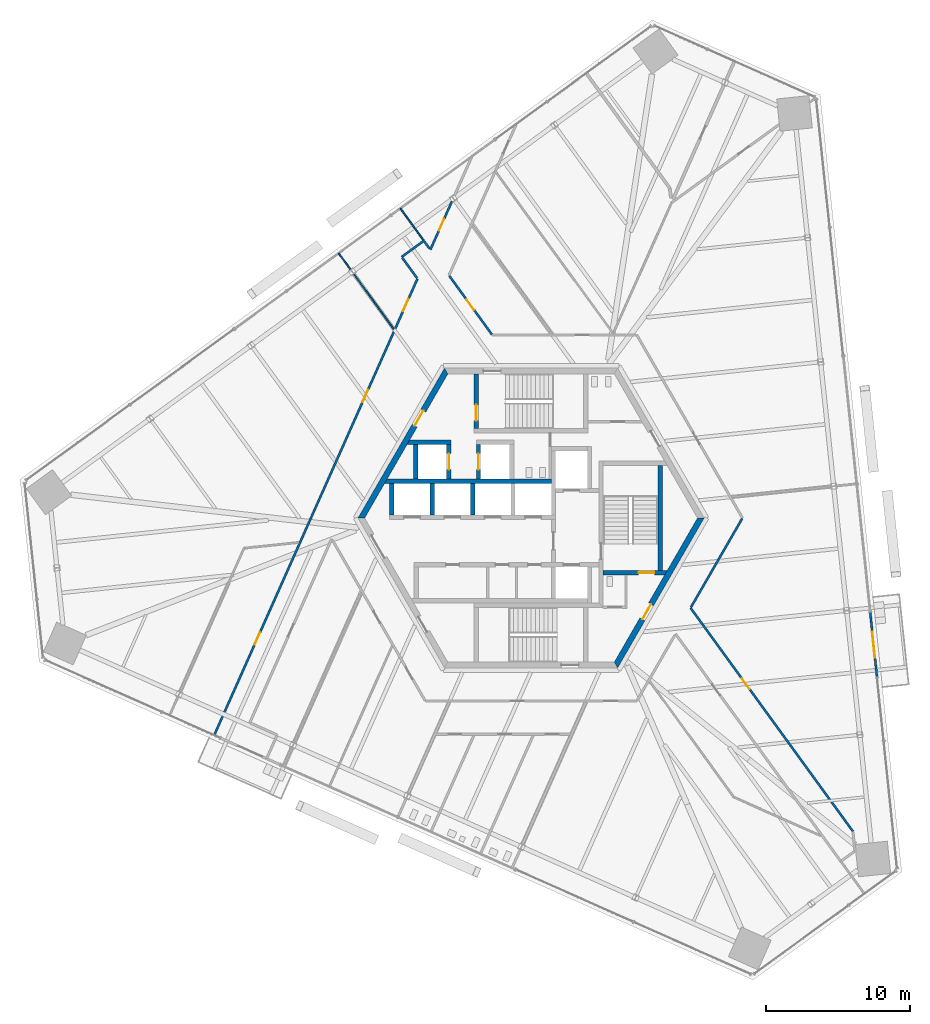
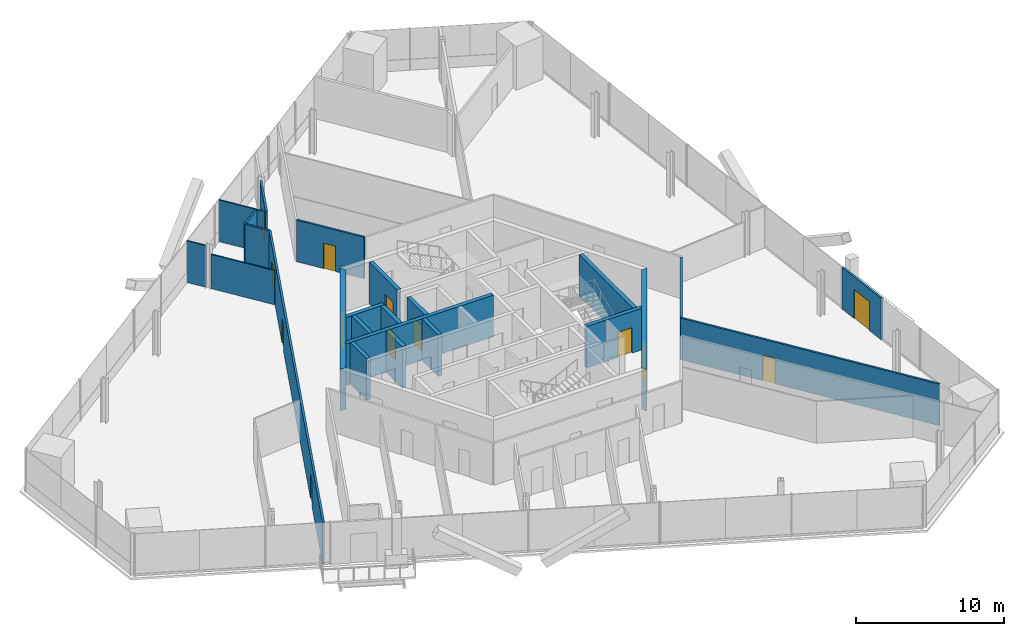
# One storey, part 13 of 19: 25 walls, 13 doors, 13 openings.
"""IFC4 building model written with IfcOpenShell, lengths in metres."""

from ifc_helpers import new_model, si_unit, direction, frame, frame_2d, origin, place, context, subcontext, project, spatial, polyline, rectangle, outline, extrude, source, transform, mapped, material, layer, layer_set, type_object, element, fill, save


model = new_model("IFC4")

# Units and contexts
model_context = context("Model", 3, precision=1e-05, world=origin(), true_north=direction((0.0, 1.0)))
body_context = subcontext(model_context, "Body", "Model", "MODEL_VIEW")
ifc_project = project(units=[si_unit("LENGTHUNIT", "METRE"), si_unit("AREAUNIT", "SQUARE_METRE"), si_unit("VOLUMEUNIT", "CUBIC_METRE"), si_unit("PLANEANGLEUNIT", "RADIAN"), si_unit("MASSUNIT", "GRAM", prefix="KILO")], contexts=[model_context])

# Site, building, storey
site_placement = place(None, origin())
site = spatial("IfcSite", under=ifc_project, at=site_placement, CompositionType="ELEMENT")
building_placement = place(site_placement, origin())
building = spatial("IfcBuilding", under=site, at=building_placement, Name="Triune Harvest Tower", CompositionType="ELEMENT")
storey_placement = place(building_placement, frame((0.0, 0.0, 76.5)))
storey = spatial("IfcBuildingStorey", under=building, at=storey_placement, Name="L18", CompositionType="ELEMENT", Elevation=76.5)

# Wall, opening, door
ifc_material_1 = material(Name="Concrete 70 MPa", Category="concrete")
ifc_layer_1 = layer(ifc_material_1, 0.39990234375)
ifc_layer_set_1 = layer_set([ifc_layer_1], Name="Concrete 70 MPa")
wall_type_1 = type_object("IfcWallType", Name="Core wall 400", PredefinedType="SHEAR", material=ifc_layer_set_1)
shared_shape_1 = source(origin(), body_context, "Body", "SweptSolid", [
    extrude(outline(polyline([(-0.115478515625, -0.199951171875), (11.884521484375, -0.199951171875), (11.653564453125, 0.199951171875), (0.115478515625, 0.199951171875), (-0.115478515625, -0.199951171875)])), origin(), (0.0, 0.0, 1.0), 3.43994140625),
])
wall_1_placement = place(storey_placement, frame((-5.884521484375, 10.1923828125, 0.0), z_axis=(0.0, 0.0, 1.0), x_axis=(-0.499996592174, -0.866027371285, 0.0)))
wall_1 = element("IfcWall", 1, at=wall_1_placement, inside=storey, type_object=wall_type_1, Name="Hexagon 2 wall", PredefinedType="SHEAR", context=body_context, shape_type="MappedRepresentation", body=[
    mapped(shared_shape_1, transform((0.0, 0.0, 0.0), scale=1.0)),
])
opening_1_placement = place(wall_1_placement, frame((3.1845703125, 0.0, 0.0)))
opening_1 = element("IfcOpeningElement", 2, at=opening_1_placement, cuts=wall_1, Name="Opening CD-SVP", PredefinedType="OPENING", context=body_context, shape_type="SweptSolid", body=[
    extrude(rectangle(XDim=1.199951171875, YDim=2.10009765625, at=frame_2d((0.60009765625, 1.050048828125))), frame((0.0, 0.2099609375, 0.0), z_axis=(0.0, -1.0, 0.0), x_axis=(1.0, 0.0, 0.0)), (0.0, 0.0, 1.0), 0.419921875),
])
ifc_material_2 = material(Name="Steel S235", Category="steel")
door_type_1 = type_object("IfcDoorType", Name="Service door 1200 FD120", OperationType="SINGLE_SWING_LEFT", PredefinedType="DOOR", material=ifc_material_2)
door_1_placement = place(opening_1_placement, frame((1.199951171875, 0.0, 0.0), z_axis=(0.0, 0.0, 1.0), x_axis=(-1.0, 0.0, 0.0)))
door_1 = element("IfcDoor", 3, at=door_1_placement, inside=storey, type_object=door_type_1, Name="Door CD-SVP", OperationType="SINGLE_SWING_RIGHT", OverallHeight=2.10009765625, OverallWidth=1.199951171875, PredefinedType="DOOR", context=body_context, shape_type="SweptSolid", body=[
    extrude(rectangle(XDim=1.199951171875, YDim=2.10009765625, at=frame_2d((0.60009765625, 1.050048828125))), frame((0.0, 0.02490234375, 0.0), z_axis=(0.0, -1.0, 0.0), x_axis=(1.0, 0.0, 0.0)), (0.0, 0.0, 1.0), 0.050048828125),
])
fill(opening_1, door_1)

wall_2_placement = place(storey_placement, frame((5.884521484375, -10.1923828125, 0.0), z_axis=(0.0, 0.0, 1.0), x_axis=(0.499996592174, 0.866027371285, 0.0)))
wall_2 = element("IfcWall", 4, at=wall_2_placement, inside=storey, type_object=wall_type_1, Name="Hexagon 5 wall", PredefinedType="SHEAR", context=body_context, shape_type="MappedRepresentation", body=[
    mapped(shared_shape_1, transform((0.0, 0.0, 0.0), scale=1.0)),
])
opening_2_placement = place(wall_2_placement, frame((3.66455078125, 0.0, 0.0)))
opening_2 = element("IfcOpeningElement", 5, at=opening_2_placement, cuts=wall_2, Name="Opening CD-DP", PredefinedType="OPENING", context=body_context, shape_type="SweptSolid", body=[
    extrude(rectangle(XDim=1.199951171875, YDim=2.10009765625, at=frame_2d((0.60009765625, 1.050048828125))), frame((0.0, 0.2099609375, 0.0), z_axis=(0.0, -1.0, 0.0), x_axis=(1.0, 0.0, 0.0)), (0.0, 0.0, 1.0), 0.419921875),
])
ifc_material_3 = material(Name="Steel S235", Category="steel")
door_type_2 = type_object("IfcDoorType", Name="Stair door 1200 FD120", OperationType="SINGLE_SWING_LEFT", PredefinedType="DOOR", material=ifc_material_3)
door_2_placement = place(opening_2_placement, frame((1.199951171875, 0.0, 0.0), z_axis=(0.0, 0.0, 1.0), x_axis=(-1.0, 0.0, 0.0)))
door_2 = element("IfcDoor", 6, at=door_2_placement, inside=storey, type_object=door_type_2, Name="Door CD-DP", OperationType="SINGLE_SWING_RIGHT", OverallHeight=2.10009765625, OverallWidth=1.199951171875, PredefinedType="DOOR", context=body_context, shape_type="SweptSolid", body=[
    extrude(rectangle(XDim=1.199951171875, YDim=2.10009765625, at=frame_2d((0.60009765625, 1.050048828125))), frame((0.0, 0.02490234375, 0.0), z_axis=(0.0, -1.0, 0.0), x_axis=(1.0, 0.0, 0.0)), (0.0, 0.0, 1.0), 0.050048828125),
])
fill(opening_2, door_2)

# Walls
ifc_material_4 = material(Name="Concrete 70 MPa", Category="concrete")
ifc_layer_2 = layer(ifc_material_4, 0.300048828125)
ifc_layer_set_2 = layer_set([ifc_layer_2], Name="Concrete 70 MPa")
wall_type_2 = type_object("IfcWallType", Name="Core wall 300", PredefinedType="SHEAR", material=ifc_layer_set_2)
shared_shape_2 = source(origin(), body_context, "Body", "SweptSolid", [
    extrude(outline(polyline([(11.199951171875, -0.14990234375), (-0.34912109375, -0.14990234375), (-0.17578125, 0.14990234375), (11.199951171875, 0.14990234375), (11.199951171875, -0.14990234375)])), origin(), (0.0, 0.0, 1.0), 3.43994140625),
])
wall_3_placement = place(storey_placement, frame((-9.800048828125, 2.56005859375, 0.0), z_axis=(0.0, 0.0, 1.0), x_axis=(1.0, 0.0, 0.0)))
element("IfcWall", 7, at=wall_3_placement, inside=storey, type_object=wall_type_2, Name="North back wall", PredefinedType="SHEAR", context=body_context, shape_type="MappedRepresentation", body=[
    mapped(shared_shape_2, transform((0.0, 0.0, 0.0), scale=1.0)),
])
shared_shape_3 = source(origin(), body_context, "Body", "SweptSolid", [
    extrude(rectangle(XDim=2.199951171875, YDim=0.300048828125, at=frame_2d((1.10009765625, 0.0))), origin(), (0.0, 0.0, 1.0), 3.43994140625),
])
for number, where, z_axis, x_axis, name in (
    (8, (-9.64990234375, 0.2099609375, 0.0), (0.0, 0.0, 1.0), (0.0, 1.0, 0.0), "North end west wall"),
    (9, (-6.85009765625, 0.2099609375, 0.0), (0.0, 0.0, 1.0), (0.0, 1.0, 0.0), "North cross 1 wall"),
    (10, (-4.050048828125, 0.2099609375, 0.0), (0.0, 0.0, 1.0), (0.0, 1.0, 0.0), "North cross 2 wall"),
):
    element("IfcWall", number, at=place(storey_placement, frame(where, z_axis=z_axis, x_axis=x_axis)), inside=storey, type_object=wall_type_2, Name=name, PredefinedType="SHEAR", context=body_context, shape_type="MappedRepresentation", body=[
        mapped(shared_shape_3, transform((0.0, 0.0, 0.0), scale=1.0)),
    ])

# Wall, opening, door
shared_shape_4 = source(origin(), body_context, "Body", "SweptSolid", [
    extrude(outline(polyline([(0.0, -0.14990234375), (0.0, 0.14990234375), (4.43310546875, 0.14990234375), (4.260009765625, -0.14990234375), (0.0, -0.14990234375)])), origin(), (0.0, 0.0, 1.0), 3.43994140625),
])
wall_4_placement = place(storey_placement, frame((5.0, -3.800048828125, 0.0), z_axis=(0.0, 0.0, 1.0), x_axis=(1.0, 0.0, 0.0)))
wall_4 = element("IfcWall", 11, at=wall_4_placement, inside=storey, type_object=wall_type_2, Name="Stair e south wall", PredefinedType="SHEAR", context=body_context, shape_type="MappedRepresentation", body=[
    mapped(shared_shape_4, transform((0.0, 0.0, 0.0), scale=1.0)),
])
opening_3_placement = place(wall_4_placement, frame((2.449951171875, 0.0, 0.0)))
opening_3 = element("IfcOpeningElement", 12, at=opening_3_placement, cuts=wall_4, Name="Opening CD-S3D", PredefinedType="OPENING", context=body_context, shape_type="SweptSolid", body=[
    extrude(rectangle(XDim=1.10009765625, YDim=2.10009765625, at=frame_2d((0.550048828125, 1.050048828125))), frame((0.0, 0.16015625, 0.0), z_axis=(0.0, -1.0, 0.0), x_axis=(1.0, 0.0, 0.0)), (0.0, 0.0, 1.0), 0.320068359375),
])
ifc_material_5 = material(Name="Steel S235", Category="steel")
door_type_3 = type_object("IfcDoorType", Name="Stair door 1100 FD120", OperationType="SINGLE_SWING_LEFT", PredefinedType="DOOR", material=ifc_material_5)
door_3_placement = place(opening_3_placement, frame((1.10009765625, 0.0, 0.0), z_axis=(0.0, 0.0, 1.0), x_axis=(-1.0, 0.0, 0.0)))
door_3 = element("IfcDoor", 13, at=door_3_placement, inside=storey, type_object=door_type_3, Name="Door CD-S3D", OperationType="SINGLE_SWING_RIGHT", OverallHeight=2.10009765625, OverallWidth=1.10009765625, PredefinedType="DOOR", context=body_context, shape_type="SweptSolid", body=[
    extrude(rectangle(XDim=1.10009765625, YDim=2.10009765625, at=frame_2d((0.550048828125, 1.050048828125))), frame((0.0, 0.02490234375, 0.0), z_axis=(0.0, -1.0, 0.0), x_axis=(1.0, 0.0, 0.0)), (0.0, 0.0, 1.0), 0.050048828125),
])
fill(opening_3, door_3)

# Wall
shared_shape_5 = source(origin(), body_context, "Body", "SweptSolid", [
    extrude(rectangle(XDim=7.2998046875, YDim=0.300048828125, at=frame_2d((3.64990234375, 0.0))), origin(), (0.0, 0.0, 1.0), 3.43994140625),
])
wall_5_placement = place(storey_placement, frame((8.949951171875, -3.64990234375, 0.0), z_axis=(0.0, 0.0, 1.0), x_axis=(0.0, 1.0, 0.0)))
element("IfcWall", 14, at=wall_5_placement, inside=storey, type_object=wall_type_2, Name="Stair e east wall", PredefinedType="SHEAR", context=body_context, shape_type="MappedRepresentation", body=[
    mapped(shared_shape_5, transform((0.0, 0.0, 0.0), scale=1.0)),
])

# Wall, opening, door
shared_shape_6 = source(origin(), body_context, "Body", "SweptSolid", [
    extrude(outline(polyline([(0.0, -0.14990234375), (0.0, 0.14990234375), (3.80419921875, 0.14990234375), (3.80419921875, -0.14990234375), (0.0, -0.14990234375)])), origin(), (0.0, 0.0, 1.0), 3.43994140625),
])
wall_6_placement = place(storey_placement, frame((-3.800048828125, 6.18994140625, 0.0), z_axis=(0.0, 0.0, 1.0), x_axis=(0.0, 1.0, 0.0)))
wall_6 = element("IfcWall", 15, at=wall_6_placement, inside=storey, type_object=wall_type_2, Name="Stair n west wall", PredefinedType="SHEAR", context=body_context, shape_type="MappedRepresentation", body=[
    mapped(shared_shape_6, transform((0.0, 0.0, 0.0), scale=1.0)),
])
opening_4_placement = place(wall_6_placement, frame((0.56005859375, 0.0, 0.0)))
opening_4 = element("IfcOpeningElement", 16, at=opening_4_placement, cuts=wall_6, Name="Opening CD-S1L", PredefinedType="OPENING", context=body_context, shape_type="SweptSolid", body=[
    extrude(rectangle(XDim=1.10009765625, YDim=2.10009765625, at=frame_2d((0.550048828125, 1.050048828125))), frame((0.0, 0.16015625, 0.0), z_axis=(0.0, -1.0, 0.0), x_axis=(1.0, 0.0, 0.0)), (0.0, 0.0, 1.0), 0.320068359375),
])
door_4_placement = place(opening_4_placement, frame((1.10009765625, 0.0, 0.0), z_axis=(0.0, 0.0, 1.0), x_axis=(-1.0, 0.0, 0.0)))
door_4 = element("IfcDoor", 17, at=door_4_placement, inside=storey, type_object=door_type_3, Name="Door CD-S1L", OperationType="SINGLE_SWING_RIGHT", OverallHeight=2.10009765625, OverallWidth=1.10009765625, PredefinedType="DOOR", context=body_context, shape_type="SweptSolid", body=[
    extrude(rectangle(XDim=1.10009765625, YDim=2.10009765625, at=frame_2d((0.550048828125, 1.050048828125))), frame((0.0, 0.02490234375, 0.0), z_axis=(0.0, -1.0, 0.0), x_axis=(1.0, 0.0, 0.0)), (0.0, 0.0, 1.0), 0.050048828125),
])
fill(opening_4, door_4)

# Walls
shared_shape_7 = source(origin(), body_context, "Body", "SweptSolid", [
    extrude(outline(polyline([(2.60009765625, -0.14990234375), (-0.440185546875, -0.14990234375), (-0.26708984375, 0.14990234375), (2.60009765625, 0.14990234375), (2.60009765625, -0.14990234375)])), origin(), (0.0, 0.0, 1.0), 3.43994140625),
])
wall_7_placement = place(storey_placement, frame((-8.14990234375, 5.260009765625, 0.0), z_axis=(0.0, 0.0, 1.0), x_axis=(1.0, 0.0, 0.0)))
element("IfcWall", 18, at=wall_7_placement, inside=storey, type_object=wall_type_2, Name="Sv1 north wall", PredefinedType="SHEAR", context=body_context, shape_type="MappedRepresentation", body=[
    mapped(shared_shape_7, transform((0.0, 0.0, 0.0), scale=1.0)),
])
shared_shape_8 = source(origin(), body_context, "Body", "SweptSolid", [
    extrude(rectangle(XDim=2.400146484375, YDim=0.300048828125, at=frame_2d((1.2001953125, 0.0))), origin(), (0.0, 0.0, 1.0), 3.43994140625),
])
wall_8_placement = place(storey_placement, frame((-8.0, 2.7099609375, 0.0), z_axis=(0.0, 0.0, 1.0), x_axis=(0.0, 1.0, 0.0)))
element("IfcWall", 19, at=wall_8_placement, inside=storey, type_object=wall_type_2, Name="Sv1 west wall", PredefinedType="SHEAR", context=body_context, shape_type="MappedRepresentation", body=[
    mapped(shared_shape_8, transform((0.0, 0.0, 0.0), scale=1.0)),
])

# Wall, opening, door
wall_9_placement = place(storey_placement, frame((-5.699951171875, 2.7099609375, 0.0), z_axis=(0.0, 0.0, 1.0), x_axis=(0.0, 1.0, 0.0)))
wall_9 = element("IfcWall", 20, at=wall_9_placement, inside=storey, type_object=wall_type_2, Name="Sv1 east wall", PredefinedType="SHEAR", context=body_context, shape_type="MappedRepresentation", body=[
    mapped(shared_shape_8, transform((0.0, 0.0, 0.0), scale=1.0)),
])
opening_5_placement = place(wall_9_placement, frame((0.64990234375, 0.0, 0.0)))
opening_5 = element("IfcOpeningElement", 21, at=opening_5_placement, cuts=wall_9, Name="Opening LD-SV1-18", PredefinedType="OPENING", context=body_context, shape_type="SweptSolid", body=[
    extrude(rectangle(XDim=1.10009765625, YDim=2.10009765625, at=frame_2d((0.550048828125, 1.050048828125))), frame((0.0, 0.16015625, 0.0), z_axis=(0.0, -1.0, 0.0), x_axis=(1.0, 0.0, 0.0)), (0.0, 0.0, 1.0), 0.320068359375),
])
ifc_material_6 = material(Name="Stainless steel AISI 304", Category="steel")
door_type_4 = type_object("IfcDoorType", Name="Landing door 1100 x 2100", OperationType="DOUBLE_DOOR_SLIDING", PredefinedType="DOOR", material=ifc_material_6)
door_5_placement = place(opening_5_placement, origin())
door_5 = element("IfcDoor", 22, at=door_5_placement, inside=storey, type_object=door_type_4, Name="Door LD-SV1-18", OperationType="DOUBLE_DOOR_SLIDING", OverallHeight=2.10009765625, OverallWidth=1.10009765625, PredefinedType="DOOR", context=body_context, shape_type="SweptSolid", body=[
    extrude(rectangle(XDim=1.10009765625, YDim=2.10009765625, at=frame_2d((0.550048828125, 1.050048828125))), frame((0.0, 0.02490234375, 0.0), z_axis=(0.0, -1.0, 0.0), x_axis=(1.0, 0.0, 0.0)), (0.0, 0.0, 1.0), 0.050048828125),
])
fill(opening_5, door_5)

wall_10_placement = place(storey_placement, frame((-3.64990234375, 2.7099609375, 0.0), z_axis=(0.0, 0.0, 1.0), x_axis=(0.0, 1.0, 0.0)))
wall_10 = element("IfcWall", 23, at=wall_10_placement, inside=storey, type_object=wall_type_2, Name="Sv2 west wall", PredefinedType="SHEAR", context=body_context, shape_type="MappedRepresentation", body=[
    mapped(shared_shape_8, transform((0.0, 0.0, 0.0), scale=1.0)),
])
opening_6_placement = place(wall_10_placement, frame((0.64990234375, 0.0, 0.0)))
opening_6 = element("IfcOpeningElement", 24, at=opening_6_placement, cuts=wall_10, Name="Opening LD-SV2-18", PredefinedType="OPENING", context=body_context, shape_type="SweptSolid", body=[
    extrude(rectangle(XDim=1.10009765625, YDim=2.10009765625, at=frame_2d((0.550048828125, 1.050048828125))), frame((0.0, 0.16015625, 0.0), z_axis=(0.0, -1.0, 0.0), x_axis=(1.0, 0.0, 0.0)), (0.0, 0.0, 1.0), 0.320068359375),
])
door_6_placement = place(opening_6_placement, origin())
door_6 = element("IfcDoor", 25, at=door_6_placement, inside=storey, type_object=door_type_4, Name="Door LD-SV2-18", OperationType="DOUBLE_DOOR_SLIDING", OverallHeight=2.10009765625, OverallWidth=1.10009765625, PredefinedType="DOOR", context=body_context, shape_type="SweptSolid", body=[
    extrude(rectangle(XDim=1.10009765625, YDim=2.10009765625, at=frame_2d((0.550048828125, 1.050048828125))), frame((0.0, 0.02490234375, 0.0), z_axis=(0.0, -1.0, 0.0), x_axis=(1.0, 0.0, 0.0)), (0.0, 0.0, 1.0), 0.050048828125),
])
fill(opening_6, door_6)

ifc_material_7 = material(Name="Aluminium bronze anodised", Category="aluminium")
ifc_layer_3 = layer(ifc_material_7, 0.14990234375)
ifc_layer_set_3 = layer_set([ifc_layer_3], Name="Aluminium bronze anodised")
wall_type_3 = type_object("IfcWallType", Name="WW-2 balcony window wall", PredefinedType="ELEMENTEDWALL", material=ifc_layer_set_3)
shared_shape_9 = source(origin(), body_context, "Body", "SweptSolid", [
    extrude(rectangle(XDim=4.485595703125, YDim=0.14990234375, at=frame_2d((2.24267578125, 0.0))), origin(), (0.0, 0.0, 1.0), 3.43994140625),
])
wall_11_placement = place(storey_placement, frame((23.51123046875, -6.549560546875, 0.0), z_axis=(0.0, 0.0, 1.0), x_axis=(0.104503452586, -0.994524523779, 0.0)))
wall_11 = element("IfcWall", 26, at=wall_11_placement, inside=storey, type_object=wall_type_3, Name="WW-2 B2-F1 L18.4", PredefinedType="ELEMENTEDWALL", context=body_context, shape_type="MappedRepresentation", body=[
    mapped(shared_shape_9, transform((0.0, 0.0, 0.0), scale=1.0)),
])
opening_7_placement = place(wall_11_placement, frame((1.3427734375, 0.0, 0.0)))
opening_7 = element("IfcOpeningElement", 27, at=opening_7_placement, cuts=wall_11, Name="Opening L18-E01", PredefinedType="OPENING", context=body_context, shape_type="SweptSolid", body=[
    extrude(rectangle(XDim=1.800048828125, YDim=2.39990234375, at=frame_2d((0.89990234375, 1.199951171875))), frame((0.0, 0.0849609375, 0.0), z_axis=(0.0, -1.0, 0.0), x_axis=(1.0, 0.0, 0.0)), (0.0, 0.0, 1.0), 0.169921875),
])
ifc_material_8 = material(Name="Glass", Category="glass")
door_type_5 = type_object("IfcDoorType", Name="DB-1 balcony door 1800 x 2400", OperationType="DOUBLE_DOOR_SINGLE_SWING", PredefinedType="DOOR", material=ifc_material_8)
door_7_placement = place(opening_7_placement, origin())
door_7 = element("IfcDoor", 28, at=door_7_placement, inside=storey, type_object=door_type_5, Name="Door L18-E01", OperationType="DOUBLE_DOOR_SINGLE_SWING", OverallHeight=2.39990234375, OverallWidth=1.800048828125, PredefinedType="DOOR", context=body_context, shape_type="SweptSolid", body=[
    extrude(rectangle(XDim=1.800048828125, YDim=2.39990234375, at=frame_2d((0.89990234375, 1.199951171875))), frame((0.0, 0.02490234375, 0.0), z_axis=(0.0, -1.0, 0.0), x_axis=(1.0, 0.0, 0.0)), (0.0, 0.0, 1.0), 0.050048828125),
])
fill(opening_7, door_7)

# Walls
ifc_material_9 = material(Name="Gypsum board on steel studs", Category="steel")
ifc_layer_4 = layer(ifc_material_9, 0.10009765625)
ifc_layer_set_4 = layer_set([ifc_layer_4], Name="Gypsum board on steel studs")
wall_type_4 = type_object("IfcWallType", Name="Partition 100 mm", PredefinedType="PARTITIONING", material=ifc_layer_set_4)
shared_shape_10 = source(origin(), body_context, "Body", "SweptSolid", [
    extrude(rectangle(XDim=1.41796875, YDim=0.10009765625, at=frame_2d((0.708984375, 0.0))), origin(), (0.0, 0.0, 1.0), 3.43994140625),
])
wall_12_placement = place(storey_placement, frame((-13.34130859375, 18.36279296875, 0.0), z_axis=(0.0, 0.0, 1.0), x_axis=(0.587782622309, -0.809018905164, 0.0)))
element("IfcWall", 29, at=wall_12_placement, inside=storey, type_object=wall_type_4, Name="Partition L18 005", PredefinedType="PARTITIONING", context=body_context, shape_type="MappedRepresentation", body=[
    mapped(shared_shape_10, transform((0.0, 0.0, 0.0), scale=1.0)),
])
ifc_material_10 = material(Name="Gypsum board on steel studs", Category="steel")
ifc_layer_5 = layer(ifc_material_10, 0.14990234375)
ifc_layer_set_5 = layer_set([ifc_layer_5], Name="Gypsum board on steel studs")
wall_type_5 = type_object("IfcWallType", Name="Fire Partition 150 mm", PredefinedType="PARTITIONING", material=ifc_layer_set_5)
shared_shape_11 = source(origin(), body_context, "Body", "SweptSolid", [
    extrude(rectangle(XDim=1.755126953125, YDim=0.14990234375, at=frame_2d((0.87744140625, 0.0))), origin(), (0.0, 0.0, 1.0), 3.43994140625),
])
wall_13_placement = place(storey_placement, frame((-8.936279296875, 18.052734375, 0.0), z_axis=(0.0, 0.0, 1.0), x_axis=(0.587733231641, -0.809054787035, 0.0)))
element("IfcWall", 30, at=wall_13_placement, inside=storey, type_object=wall_type_5, Name="Partition L18 008", PredefinedType="PARTITIONING", context=body_context, shape_type="MappedRepresentation", body=[
    mapped(shared_shape_11, transform((0.0, 0.0, 0.0), scale=1.0)),
])
shared_shape_12 = source(origin(), body_context, "Body", "SweptSolid", [
    extrude(rectangle(XDim=2.7802734375, YDim=0.10009765625, at=frame_2d((1.39013671875, 0.0))), origin(), (0.0, 0.0, 1.0), 3.43994140625),
])
wall_14_placement = place(storey_placement, frame((-9.06884765625, 21.467041015625, 0.0), z_axis=(0.0, 0.0, 1.0), x_axis=(0.587806154415, -0.809001807682, 0.0)))
element("IfcWall", 31, at=wall_14_placement, inside=storey, type_object=wall_type_4, Name="Partition L18 011", PredefinedType="PARTITIONING", context=body_context, shape_type="MappedRepresentation", body=[
    mapped(shared_shape_12, transform((0.0, 0.0, 0.0), scale=1.0)),
])
shared_shape_13 = source(origin(), body_context, "Body", "SweptSolid", [
    extrude(rectangle(XDim=0.608154296875, YDim=0.14990234375, at=frame_2d((0.30419921875, 0.0))), origin(), (0.0, 0.0, 1.0), 3.43994140625),
])
wall_15_placement = place(storey_placement, frame((-7.4052734375, 19.17724609375, 0.0), z_axis=(0.0, 0.0, 1.0), x_axis=(0.587789668622, -0.809013785705, 0.0)))
element("IfcWall", 32, at=wall_15_placement, inside=storey, type_object=wall_type_5, Name="Partition L18 012", PredefinedType="PARTITIONING", context=body_context, shape_type="MappedRepresentation", body=[
    mapped(shared_shape_13, transform((0.0, 0.0, 0.0), scale=1.0)),
])

# Wall, opening, door
shared_shape_14 = source(origin(), body_context, "Body", "SweptSolid", [
    extrude(rectangle(XDim=5.013671875, YDim=0.14990234375, at=frame_2d((2.5068359375, 0.0))), origin(), (0.0, 0.0, 1.0), 3.43994140625),
])
wall_16_placement = place(storey_placement, frame((-5.664306640625, 16.781005859375, 0.0), z_axis=(0.0, 0.0, 1.0), x_axis=(0.587792341651, -0.809011843607, 0.0)))
wall_16 = element("IfcWall", 33, at=wall_16_placement, inside=storey, type_object=wall_type_5, Name="Partition L18 013", PredefinedType="PARTITIONING", context=body_context, shape_type="MappedRepresentation", body=[
    mapped(shared_shape_14, transform((0.0, 0.0, 0.0), scale=1.0)),
])
opening_8_placement = place(wall_16_placement, frame((2.00390625, 0.0, 0.0)))
opening_8 = element("IfcOpeningElement", 34, at=opening_8_placement, cuts=wall_16, Name="Opening L18-010", PredefinedType="OPENING", context=body_context, shape_type="SweptSolid", body=[
    extrude(rectangle(XDim=0.89990234375, YDim=2.10009765625, at=frame_2d((0.449951171875, 1.050048828125))), frame((0.0, 0.0849609375, 0.0), z_axis=(0.0, -1.0, 0.0), x_axis=(1.0, 0.0, 0.0)), (0.0, 0.0, 1.0), 0.169921875),
])
ifc_material_11 = material(Name="Timber and steel door set", Category="steel")
door_type_6 = type_object("IfcDoorType", Name="Single leaf door FD30 left hand 900 x 2100", OperationType="SINGLE_SWING_LEFT", PredefinedType="DOOR", material=ifc_material_11)
door_8_placement = place(opening_8_placement, origin())
door_8 = element("IfcDoor", 35, at=door_8_placement, inside=storey, type_object=door_type_6, Name="Door L18-010 Office 18.10", OperationType="SINGLE_SWING_LEFT", OverallHeight=2.10009765625, OverallWidth=0.89990234375, PredefinedType="DOOR", context=body_context, shape_type="SweptSolid", body=[
    extrude(rectangle(XDim=0.89990234375, YDim=2.10009765625, at=frame_2d((0.449951171875, 1.050048828125))), frame((0.0, 0.02490234375, 0.0), z_axis=(0.0, -1.0, 0.0), x_axis=(1.0, 0.0, 0.0)), (0.0, 0.0, 1.0), 0.050048828125),
])
fill(opening_8, door_8)

shared_shape_15 = source(origin(), body_context, "Body", "SweptSolid", [
    extrude(rectangle(XDim=19.145751953125, YDim=0.14990234375, at=frame_2d((9.57275390625, 0.0))), origin(), (0.0, 0.0, 1.0), 3.43994140625),
])
wall_17_placement = place(storey_placement, frame((11.056884765625, -6.2333984375, 0.0), z_axis=(0.0, 0.0, 1.0), x_axis=(0.587787220736, -0.809015564213, 0.0)))
wall_17 = element("IfcWall", 36, at=wall_17_placement, inside=storey, type_object=wall_type_5, Name="Partition L18 014", PredefinedType="PARTITIONING", context=body_context, shape_type="MappedRepresentation", body=[
    mapped(shared_shape_15, transform((0.0, 0.0, 0.0), scale=1.0)),
])
opening_9_placement = place(wall_17_placement, frame((6.0615234375, 0.0, 0.0)))
opening_9 = element("IfcOpeningElement", 37, at=opening_9_placement, cuts=wall_17, Name="Opening L18-002", PredefinedType="OPENING", context=body_context, shape_type="SweptSolid", body=[
    extrude(rectangle(XDim=0.89990234375, YDim=2.10009765625, at=frame_2d((0.449951171875, 1.050048828125))), frame((0.0, 0.0849609375, 0.0), z_axis=(0.0, -1.0, 0.0), x_axis=(1.0, 0.0, 0.0)), (0.0, 0.0, 1.0), 0.169921875),
])
door_9_placement = place(opening_9_placement, origin())
door_9 = element("IfcDoor", 38, at=door_9_placement, inside=storey, type_object=door_type_6, Name="Door L18-002 Open Office 18.02", OperationType="SINGLE_SWING_LEFT", OverallHeight=2.10009765625, OverallWidth=0.89990234375, PredefinedType="DOOR", context=body_context, shape_type="SweptSolid", body=[
    extrude(rectangle(XDim=0.89990234375, YDim=2.10009765625, at=frame_2d((0.449951171875, 1.050048828125))), frame((0.0, 0.02490234375, 0.0), z_axis=(0.0, -1.0, 0.0), x_axis=(1.0, 0.0, 0.0)), (0.0, 0.0, 1.0), 0.050048828125),
])
fill(opening_9, door_9)

# Walls
shared_shape_16 = source(origin(), body_context, "Body", "SweptSolid", [
    extrude(rectangle(XDim=1.869873046875, YDim=0.14990234375, at=frame_2d((0.93505859375, 0.0))), origin(), (0.0, 0.0, 1.0), 3.43994140625),
])
wall_18_placement = place(storey_placement, frame((-8.9716796875, 18.10107421875, 0.0), z_axis=(0.0, 0.0, 1.0), x_axis=(0.808995728754, 0.587814520796, 0.0)))
element("IfcWall", 39, at=wall_18_placement, inside=storey, type_object=wall_type_5, Name="Partition L18 029", PredefinedType="PARTITIONING", context=body_context, shape_type="MappedRepresentation", body=[
    mapped(shared_shape_16, transform((0.0, 0.0, 0.0), scale=1.0)),
])
shared_shape_17 = source(origin(), body_context, "Body", "SweptSolid", [
    extrude(rectangle(XDim=7.097900390625, YDim=0.14990234375, at=frame_2d((3.548828125, 0.0))), origin(), (0.0, 0.0, 1.0), 3.43994140625),
])
wall_19_placement = place(storey_placement, frame((11.081787109375, -6.190185546875, 0.0), z_axis=(0.0, 0.0, 1.0), x_axis=(0.500012251463, 0.866018330284, 0.0)))
element("IfcWall", 40, at=wall_19_placement, inside=storey, type_object=wall_type_5, Name="Partition L18 031", PredefinedType="PARTITIONING", context=body_context, shape_type="MappedRepresentation", body=[
    mapped(shared_shape_17, transform((0.0, 0.0, 0.0), scale=1.0)),
])

# Wall, openings, doors
shared_shape_18 = source(origin(), body_context, "Body", "SweptSolid", [
    extrude(rectangle(XDim=34.652099609375, YDim=0.14990234375, at=frame_2d((17.326171875, 0.0))), origin(), (0.0, 0.0, 1.0), 3.43994140625),
])
wall_20_placement = place(storey_placement, frame((-21.969970703125, -15.064208984375, 0.0), z_axis=(0.0, 0.0, 1.0), x_axis=(0.406741745342, 0.91354318595, 0.0)))
wall_20 = element("IfcWall", 41, at=wall_20_placement, inside=storey, type_object=wall_type_5, Name="Partition L18 047", PredefinedType="PARTITIONING", context=body_context, shape_type="MappedRepresentation", body=[
    mapped(shared_shape_18, transform((0.0, 0.0, 0.0), scale=1.0)),
])
opening_10_placement = place(wall_20_placement, frame((32.2021484375, 0.0, 0.0)))
opening_10 = element("IfcOpeningElement", 42, at=opening_10_placement, cuts=wall_20, Name="Opening L18-008", PredefinedType="OPENING", context=body_context, shape_type="SweptSolid", body=[
    extrude(rectangle(XDim=0.89990234375, YDim=2.10009765625, at=frame_2d((0.449951171875, 1.050048828125))), frame((0.0, 0.0849609375, 0.0), z_axis=(0.0, -1.0, 0.0), x_axis=(1.0, 0.0, 0.0)), (0.0, 0.0, 1.0), 0.169921875),
])
opening_11_placement = place(wall_20_placement, frame((25.298095703125, 0.0, 0.0)))
opening_11 = element("IfcOpeningElement", 43, at=opening_11_placement, cuts=wall_20, Name="Opening L18-011", PredefinedType="OPENING", context=body_context, shape_type="SweptSolid", body=[
    extrude(rectangle(XDim=0.89990234375, YDim=2.10009765625, at=frame_2d((0.449951171875, 1.050048828125))), frame((0.0, 0.0849609375, 0.0), z_axis=(0.0, -1.0, 0.0), x_axis=(1.0, 0.0, 0.0)), (0.0, 0.0, 1.0), 0.169921875),
])
opening_12_placement = place(wall_20_placement, frame((6.897705078125, 0.0, 0.0)))
opening_12 = element("IfcOpeningElement", 44, at=opening_12_placement, cuts=wall_20, Name="Opening L18-012", PredefinedType="OPENING", context=body_context, shape_type="SweptSolid", body=[
    extrude(rectangle(XDim=0.89990234375, YDim=2.10009765625, at=frame_2d((0.449951171875, 1.050048828125))), frame((0.0, 0.0849609375, 0.0), z_axis=(0.0, -1.0, 0.0), x_axis=(1.0, 0.0, 0.0)), (0.0, 0.0, 1.0), 0.169921875),
])
door_10_placement = place(opening_12_placement, origin())
door_10 = element("IfcDoor", 45, at=door_10_placement, inside=storey, type_object=door_type_6, Name="Door L18-012 Office 18.12", OperationType="SINGLE_SWING_LEFT", OverallHeight=2.10009765625, OverallWidth=0.89990234375, PredefinedType="DOOR", context=body_context, shape_type="SweptSolid", body=[
    extrude(rectangle(XDim=0.89990234375, YDim=2.10009765625, at=frame_2d((0.449951171875, 1.050048828125))), frame((0.0, 0.02490234375, 0.0), z_axis=(0.0, -1.0, 0.0), x_axis=(1.0, 0.0, 0.0)), (0.0, 0.0, 1.0), 0.050048828125),
])
fill(opening_12, door_10)
ifc_material_12 = material(Name="Timber and steel door set", Category="steel")
door_type_7 = type_object("IfcDoorType", Name="Single leaf door FD30 right hand 900 x 2100", OperationType="SINGLE_SWING_RIGHT", PredefinedType="DOOR", material=ifc_material_12)
door_11_placement = place(opening_10_placement, origin())
door_11 = element("IfcDoor", 46, at=door_11_placement, inside=storey, type_object=door_type_7, Name="Door L18-008 Meeting Room 18.08", OperationType="SINGLE_SWING_RIGHT", OverallHeight=2.10009765625, OverallWidth=0.89990234375, PredefinedType="DOOR", context=body_context, shape_type="SweptSolid", body=[
    extrude(rectangle(XDim=0.89990234375, YDim=2.10009765625, at=frame_2d((0.449951171875, 1.050048828125))), frame((0.0, 0.02490234375, 0.0), z_axis=(0.0, -1.0, 0.0), x_axis=(1.0, 0.0, 0.0)), (0.0, 0.0, 1.0), 0.050048828125),
])
fill(opening_10, door_11)
door_12_placement = place(opening_11_placement, origin())
door_12 = element("IfcDoor", 47, at=door_12_placement, inside=storey, type_object=door_type_7, Name="Door L18-011 Open Office 18.11", OperationType="SINGLE_SWING_RIGHT", OverallHeight=2.10009765625, OverallWidth=0.89990234375, PredefinedType="DOOR", context=body_context, shape_type="SweptSolid", body=[
    extrude(rectangle(XDim=0.89990234375, YDim=2.10009765625, at=frame_2d((0.449951171875, 1.050048828125))), frame((0.0, 0.02490234375, 0.0), z_axis=(0.0, -1.0, 0.0), x_axis=(1.0, 0.0, 0.0)), (0.0, 0.0, 1.0), 0.050048828125),
])
fill(opening_11, door_12)

# Wall, opening, door
shared_shape_19 = source(origin(), body_context, "Body", "SweptSolid", [
    extrude(rectangle(XDim=3.685302734375, YDim=0.14990234375, at=frame_2d((1.8427734375, 0.0))), origin(), (0.0, 0.0, 1.0), 3.43994140625),
])
wall_21_placement = place(storey_placement, frame((-6.983154296875, 18.596435546875, 0.0), z_axis=(0.0, 0.0, 1.0), x_axis=(0.406753031703, 0.913538160779, 0.0)))
wall_21 = element("IfcWall", 48, at=wall_21_placement, inside=storey, type_object=wall_type_5, Name="Partition L18 048", PredefinedType="PARTITIONING", context=body_context, shape_type="MappedRepresentation", body=[
    mapped(shared_shape_19, transform((0.0, 0.0, 0.0), scale=1.0)),
])
opening_13_placement = place(wall_21_placement, frame((1.4541015625, 0.0, 0.0)))
opening_13 = element("IfcOpeningElement", 49, at=opening_13_placement, cuts=wall_21, Name="Opening L18-009", PredefinedType="OPENING", context=body_context, shape_type="SweptSolid", body=[
    extrude(rectangle(XDim=0.89990234375, YDim=2.10009765625, at=frame_2d((0.449951171875, 1.050048828125))), frame((0.0, 0.0849609375, 0.0), z_axis=(0.0, -1.0, 0.0), x_axis=(1.0, 0.0, 0.0)), (0.0, 0.0, 1.0), 0.169921875),
])
door_13_placement = place(opening_13_placement, origin())
door_13 = element("IfcDoor", 50, at=door_13_placement, inside=storey, type_object=door_type_7, Name="Door L18-009 Office 18.09", OperationType="SINGLE_SWING_RIGHT", OverallHeight=2.10009765625, OverallWidth=0.89990234375, PredefinedType="DOOR", context=body_context, shape_type="SweptSolid", body=[
    extrude(rectangle(XDim=0.89990234375, YDim=2.10009765625, at=frame_2d((0.449951171875, 1.050048828125))), frame((0.0, 0.02490234375, 0.0), z_axis=(0.0, -1.0, 0.0), x_axis=(1.0, 0.0, 0.0)), (0.0, 0.0, 1.0), 0.050048828125),
])
fill(opening_13, door_13)

# Wall
shared_shape_20 = source(origin(), body_context, "Body", "SweptSolid", [
    extrude(rectangle(XDim=4.71533203125, YDim=0.10009765625, at=frame_2d((2.357666015625, 0.0))), origin(), (0.0, 0.0, 1.0), 2.827880859375),
])
wall_22_placement = place(storey_placement, frame((-12.2880859375, 16.9130859375, 0.0), z_axis=(0.0, 0.0, 1.0), x_axis=(0.58781144721, -0.808997962006, 0.0)))
element("IfcWall", 51, at=wall_22_placement, inside=storey, type_object=wall_type_4, Name="Partition L18 006", PredefinedType="PARTITIONING", context=body_context, shape_type="MappedRepresentation", body=[
    mapped(shared_shape_20, transform((0.0, 0.0, 0.0), scale=1.0)),
])

save(model, "model.ifc")
